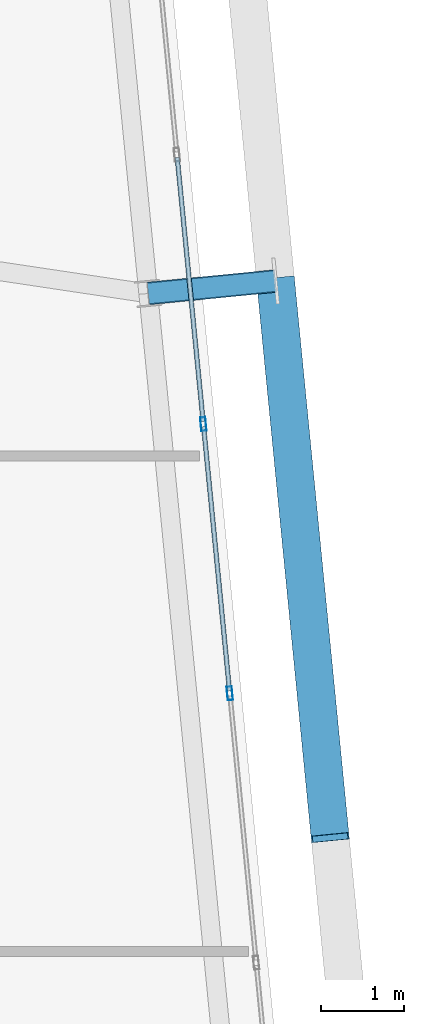
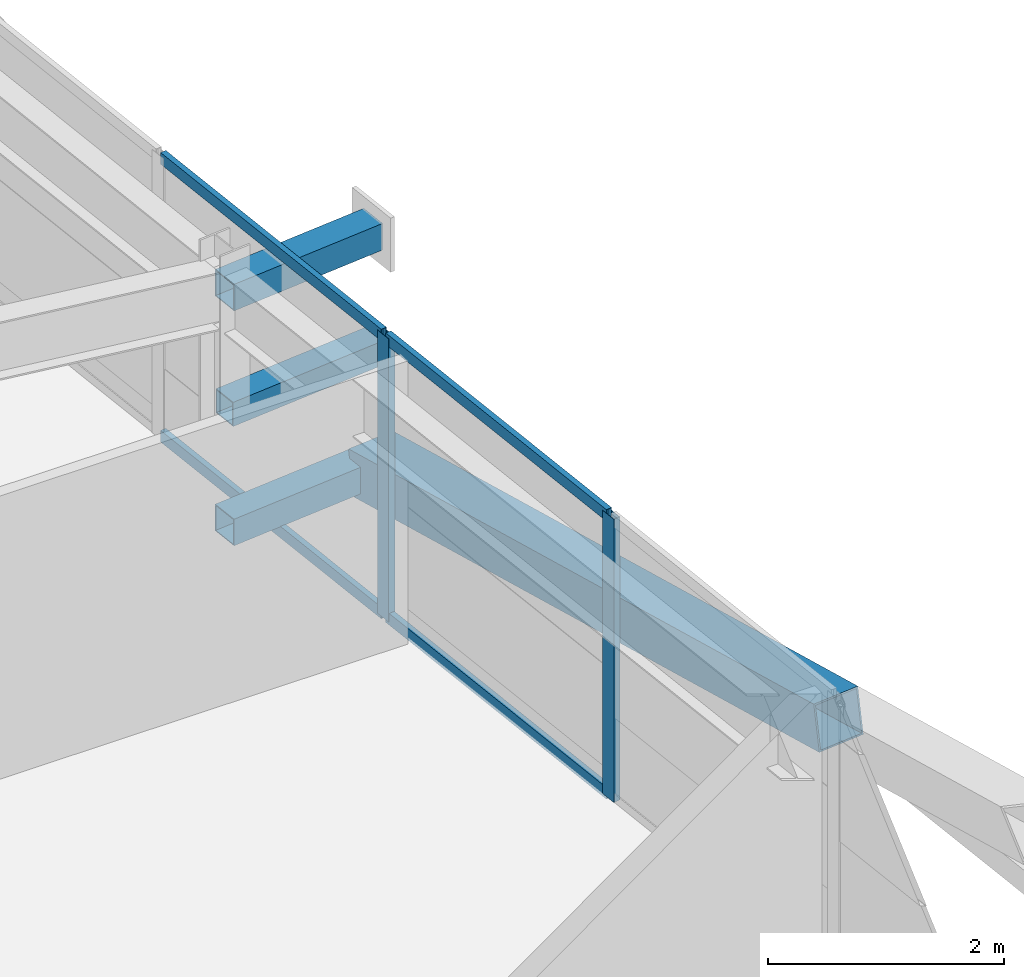
# One storey, part 24 of 51: 10 members, 1 element without a shape of its own.
"""IFC4 building model written with IfcOpenShell, lengths in metres."""

from ifc_helpers import new_model, si_unit, direction, frame, origin, origin_2d, place, context, subcontext, project, spatial, hollow_rectangle, extrude, source, transform, mapped, material, layer, layer_set, material_profile, profile_set, type_object, element, aggregate, save


model = new_model("IFC4")

# Units and contexts
model_context = context("Model", 3, precision=1e-05, world=origin(), true_north=direction((0.0, 1.0)))
body_context = subcontext(model_context, "Body", "Model", "MODEL_VIEW")
ifc_project = project(units=[si_unit("LENGTHUNIT", "METRE"), si_unit("AREAUNIT", "SQUARE_METRE"), si_unit("VOLUMEUNIT", "CUBIC_METRE"), si_unit("PLANEANGLEUNIT", "RADIAN"), si_unit("MASSUNIT", "GRAM", prefix="KILO")], contexts=[model_context])

# Site, building, storey
site_placement = place(None, origin())
site = spatial("IfcSite", under=ifc_project, at=site_placement, CompositionType="ELEMENT")
building_placement = place(site_placement, origin())
building = spatial("IfcBuilding", under=site, at=building_placement, Name="Taldren Reach Tower", CompositionType="ELEMENT")
storey_placement = place(building_placement, frame((0.0, 0.0, 65.10009765625)))
storey = spatial("IfcBuildingStorey", under=building, at=storey_placement, Name="L19", CompositionType="ELEMENT", Elevation=65.10009765625)

# Members
ifc_material_1 = material(Name="Steel Gr 450 (C450L0)", Category="steel")
ifc_material_profile_1 = material_profile(ifc_material_1, hollow_rectangle(XDim=0.27490234375, YDim=0.27490234375, WallThickness=0.00927734375, at=origin_2d()), Name="275x275x9.3SHS")
ifc_profile_set_1 = profile_set([ifc_material_profile_1], Name="Steel Gr 450 (C450L0)")
member_type_1 = type_object("IfcMemberType", Name="MB-TIE273", PredefinedType="STRUT", material=ifc_profile_set_1)
shared_shape_1 = source(origin(), body_context, "Body", "SweptSolid", [
    extrude(hollow_rectangle(XDim=0.27490234375, YDim=0.27490234375, WallThickness=0.00927734375, at=origin_2d()), origin(), (0.0, 0.0, 1.0), 1.5498046875),
])
for number, where, z_axis, x_axis, name in (
    (1, (64.569580078125, 21.968994140625, 2.64990234375), (0.995234821595, 0.097507178627, 0.0), (-0.097507178627, 0.995234821595, 0.0), "Exoskeleton diaphragm tie strut B2-E2 L19"),
    (2, (64.569580078125, 21.968994140625, 0.219970703125), (0.995234821595, 0.097507178627, 0.0), (-0.097507178627, 0.995234821595, 0.0), "Exoskeleton base diaphragm tie strut B2-E2 L19"),
):
    element("IfcMember", number, at=place(storey_placement, frame(where, z_axis=z_axis, x_axis=x_axis)), inside=storey, type_object=member_type_1, Name=name, PredefinedType="STRUT", context=body_context, shape_type="MappedRepresentation", body=[
        mapped(shared_shape_1, transform((0.0, 0.0, 0.0), scale=1.0)),
    ])
ifc_material_2 = material(Name="Steel Gr 350 (C350L0)", Category="steel")
ifc_material_profile_2 = material_profile(ifc_material_2, hollow_rectangle(XDim=0.25, YDim=0.25, WallThickness=0.010009765625, at=origin_2d()), Name="250x250x10.0SHS")
ifc_profile_set_2 = profile_set([ifc_material_profile_2], Name="Steel Gr 350 (C350L0)")
member_type_2 = type_object("IfcMemberType", Name="MB-POST250", PredefinedType="POST", material=ifc_profile_set_2)
shared_shape_2 = source(origin(), body_context, "Body", "SweptSolid", [
    extrude(hollow_rectangle(XDim=0.25, YDim=0.25, WallThickness=0.010009765625, at=origin_2d()), origin(), (0.0, 0.0, 1.0), 1.5498046875),
])
member_1_placement = place(storey_placement, frame((64.569580078125, 21.968994140625, 1.434814453125), z_axis=(0.995234821595, 0.097507178627, 0.0), x_axis=(-0.097507178627, 0.995234821595, 0.0)))
element("IfcMember", 3, at=member_1_placement, inside=storey, type_object=member_type_2, Name="Exoskeleton mid-tier diaphragm tie B2-E2 L19", PredefinedType="POST", context=body_context, shape_type="MappedRepresentation", body=[
    mapped(shared_shape_2, transform((0.0, 0.0, 0.0), scale=1.0)),
])
ifc_material_profile_3 = material_profile(ifc_material_1, hollow_rectangle(XDim=0.4599609375, YDim=0.4599609375, WallThickness=0.01611328125, at=origin_2d()), Name="460x460x16.0SHS")
ifc_profile_set_3 = profile_set([ifc_material_profile_3], Name="Steel Gr 450 (C450L0)")
member_type_3 = type_object("IfcMemberType", Name="MB-EXO457", PredefinedType="BRACE", material=ifc_profile_set_3)
shared_shape_3 = source(origin(), body_context, "Body", "SweptSolid", [
    extrude(hollow_rectangle(XDim=0.4599609375, YDim=0.4599609375, WallThickness=0.01611328125, at=origin_2d()), origin(), (0.0, 0.0, 1.0), 6.883056640625),
])
member_2_placement = place(storey_placement, frame((66.112060546875, 22.1201171875, 0.219970703125), z_axis=(0.096052059581, -0.979603316657, 0.176497432967), x_axis=(0.995227290009, 0.097584021339, 0.0)))
element("IfcMember", 4, at=member_2_placement, inside=storey, type_object=member_type_3, Name="Exoskeleton Diagrid Brace B2-E1 L19", PredefinedType="BRACE", context=body_context, shape_type="MappedRepresentation", body=[
    mapped(shared_shape_3, transform((0.0, 0.0, 0.0), scale=1.0)),
])

# Curtain wall, members
ifc_material_3 = material(Name="Aluminium and Low-E Glass Unitised System", Category="aluminium")
ifc_layer = layer(ifc_material_3, 0.159912109375)
ifc_layer_set = layer_set([ifc_layer], Name="Aluminium and Low-E Glass Unitised System")
curtain_wall_type = type_object("IfcCurtainWallType", Name="CW-SYS-3", PredefinedType="NOTDEFINED", material=ifc_layer_set)
curtain_wall_placement = place(storey_placement, origin())
curtain_wall = element("IfcCurtainWall", 5, at=curtain_wall_placement, inside=storey, type_object=curtain_wall_type, Name="Unitised curtain wall CW-L19-E", PredefinedType="NOTDEFINED")
ifc_material_4 = material(Name="Anodised Aluminium 6063-T6", Category="aluminium")
ifc_material_profile_4 = material_profile(ifc_material_4, hollow_rectangle(XDim=0.06494140625, YDim=0.1650390625, WallThickness=0.00390625, at=origin_2d()), Name="ALU-165x65x4RHS")
ifc_profile_set_4 = profile_set([ifc_material_profile_4], Name="Anodised Aluminium 6063-T6")
member_type_4 = type_object("IfcMemberType", Name="CW-MUL-165", PredefinedType="MULLION", material=ifc_profile_set_4)
shared_shape_4 = source(origin(), body_context, "Body", "SweptSolid", [
    extrude(hollow_rectangle(XDim=0.06494140625, YDim=0.1650390625, WallThickness=0.00390625, at=origin_2d()), origin(), (0.0, 0.0, 1.0), 2.929931640625),
])
member_3_placement = place(storey_placement, frame((65.556884765625, 17.12548828125, 0.0), z_axis=(0.0, 0.0, 1.0), x_axis=(-0.99522741555, -0.09758274098, 0.0)))
member_3 = element("IfcMember", 6, at=member_3_placement, type_object=member_type_4, Name="CW-3 mullion 4", PredefinedType="MULLION", context=body_context, shape_type="MappedRepresentation", body=[
    mapped(shared_shape_4, transform((0.0, 0.0, 0.0), scale=1.0)),
])
member_4_placement = place(storey_placement, frame((65.237060546875, 20.3876953125, 0.0), z_axis=(0.0, 0.0, 1.0), x_axis=(-0.99522741555, -0.09758274098, 0.0)))
member_4 = element("IfcMember", 7, at=member_4_placement, type_object=member_type_4, Name="CW-3 mullion 5", PredefinedType="MULLION", context=body_context, shape_type="MappedRepresentation", body=[
    mapped(shared_shape_4, transform((0.0, 0.0, 0.0), scale=1.0)),
])
ifc_material_profile_5 = material_profile(ifc_material_4, hollow_rectangle(XDim=0.054931640625, YDim=0.1201171875, WallThickness=0.0029296875, at=origin_2d()), Name="ALU-120x55x3RHS")
ifc_profile_set_5 = profile_set([ifc_material_profile_5], Name="Anodised Aluminium 6063-T6")
member_type_5 = type_object("IfcMemberType", Name="CW-TRN-135", PredefinedType="USERDEFINED", material=ifc_profile_set_5)
shared_shape_5 = source(origin(), body_context, "Body", "SweptSolid", [
    extrude(hollow_rectangle(XDim=0.054931640625, YDim=0.1201171875, WallThickness=0.0029296875, at=origin_2d()), origin(), (0.0, 0.0, 1.0), 3.212890625),
])
member_5_placement = place(storey_placement, frame((65.5537109375, 17.15771484375, 0.02734375), z_axis=(-0.097569948235, 0.995228669805, 0.0), x_axis=(-0.995228669805, -0.097569948235, 0.0)))
member_5 = element("IfcMember", 8, at=member_5_placement, type_object=member_type_5, Name="CW-3 transom 4.1", ObjectType="TRANSOM", PredefinedType="USERDEFINED", context=body_context, shape_type="MappedRepresentation", body=[
    mapped(shared_shape_5, transform((0.0, 0.0, 0.0), scale=1.0)),
])
member_6_placement = place(storey_placement, frame((65.5537109375, 17.15771484375, 2.90234375), z_axis=(-0.097569948235, 0.995228669805, 0.0), x_axis=(-0.995228669805, -0.097569948235, 0.0)))
member_6 = element("IfcMember", 9, at=member_6_placement, type_object=member_type_5, Name="CW-3 transom 4.2", ObjectType="TRANSOM", PredefinedType="USERDEFINED", context=body_context, shape_type="MappedRepresentation", body=[
    mapped(shared_shape_5, transform((0.0, 0.0, 0.0), scale=1.0)),
])
member_7_placement = place(storey_placement, frame((65.23388671875, 20.419921875, 0.02734375), z_axis=(-0.097645213046, 0.995221288141, 0.0), x_axis=(-0.995221288141, -0.097645213046, 0.0)))
member_7 = element("IfcMember", 10, at=member_7_placement, type_object=member_type_5, Name="CW-3 transom 5.1", ObjectType="TRANSOM", PredefinedType="USERDEFINED", context=body_context, shape_type="MappedRepresentation", body=[
    mapped(shared_shape_5, transform((0.0, 0.0, 0.0), scale=1.0)),
])
member_8_placement = place(storey_placement, frame((65.23388671875, 20.419921875, 2.90234375), z_axis=(-0.097645213046, 0.995221288141, 0.0), x_axis=(-0.995221288141, -0.097645213046, 0.0)))
member_8 = element("IfcMember", 11, at=member_8_placement, type_object=member_type_5, Name="CW-3 transom 5.2", ObjectType="TRANSOM", PredefinedType="USERDEFINED", context=body_context, shape_type="MappedRepresentation", body=[
    mapped(shared_shape_5, transform((0.0, 0.0, 0.0), scale=1.0)),
])
aggregate(curtain_wall, [member_3, member_4, member_5, member_6, member_7, member_8])

save(model, "model.ifc")
